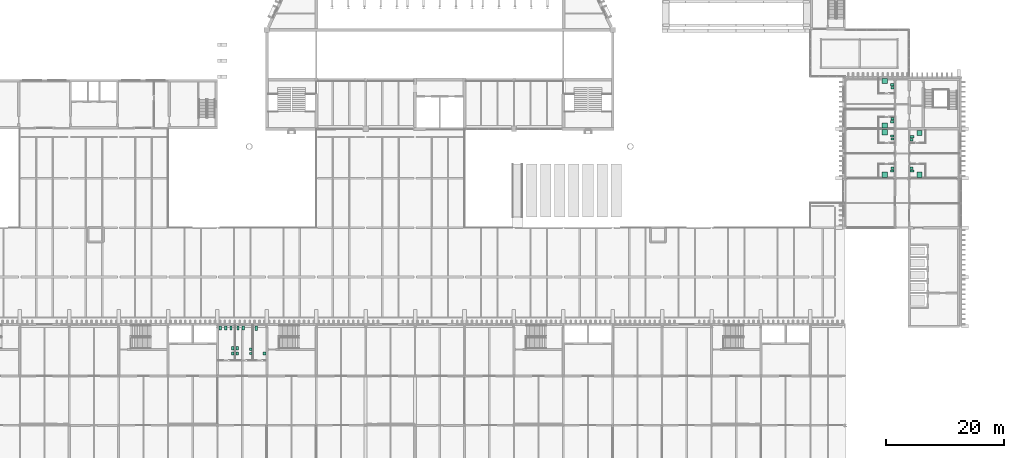
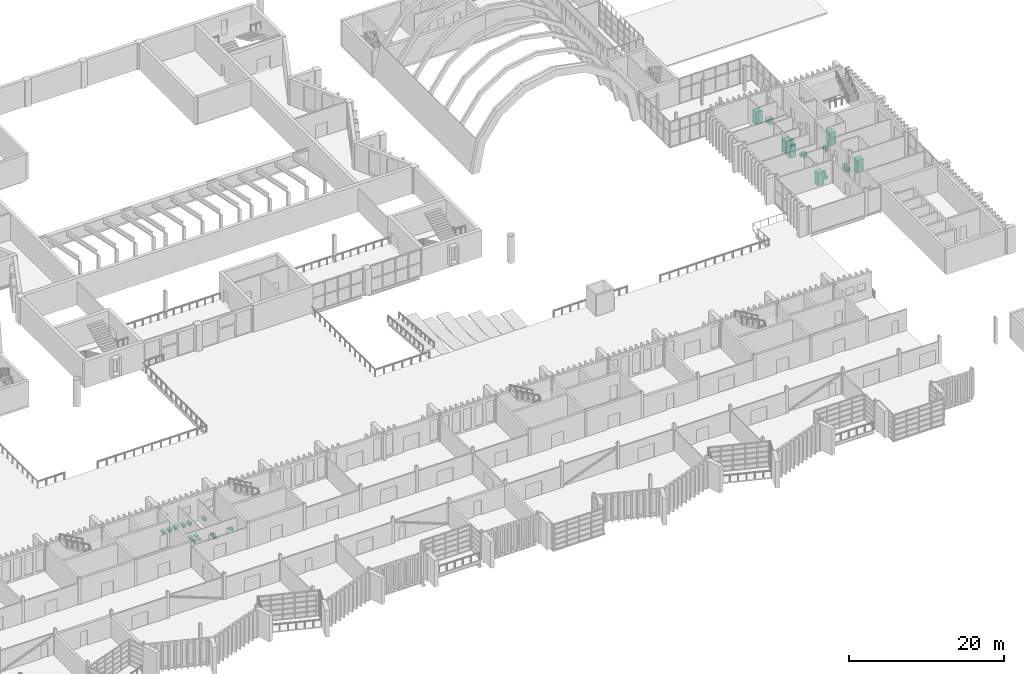
# One storey, part 95 of 96: 31 sanitary terminals.
"""IFC4 building model written with IfcOpenShell, lengths in metres."""

from ifc_helpers import new_model, si_unit, direction, frame, origin, origin_2d, place, context, subcontext, project, spatial, rectangle, extrude, material, type_object, element, save


model = new_model("IFC4")

# Units and contexts
model_context = context("Model", 3, precision=1e-05, world=origin(), true_north=direction((0.0, 1.0)))
body_context = subcontext(model_context, "Body", "Model", "MODEL_VIEW")
ifc_project = project(units=[si_unit("LENGTHUNIT", "METRE"), si_unit("AREAUNIT", "SQUARE_METRE"), si_unit("VOLUMEUNIT", "CUBIC_METRE"), si_unit("PLANEANGLEUNIT", "RADIAN"), si_unit("MASSUNIT", "GRAM", prefix="KILO")], contexts=[model_context])

# Site, building, storey
site_placement = place(None, origin())
site = spatial("IfcSite", under=ifc_project, at=site_placement, CompositionType="ELEMENT")
building_placement = place(site_placement, origin())
building = spatial("IfcBuilding", under=site, at=building_placement, Name="Cresset Court Congress Hotel", CompositionType="ELEMENT")
storey_placement = place(building_placement, frame((0.0, 0.0, 6.0)))
storey = spatial("IfcBuildingStorey", under=building, at=storey_placement, Name="L01", CompositionType="ELEMENT", Elevation=6.0)

# Sanitary terminals
ifc_material_1 = material(Name="Acrylic")
sanitary_terminal_type_1 = type_object("IfcSanitaryTerminalType", Name="Shower enclosure 900x900", PredefinedType="SHOWER", material=ifc_material_1)
for number, where, z_axis, x_axis, name in (
    (1, (163.85009765625, 50.97509765625, 0.0), (0.0, 0.0, 1.0), (1.0, 0.0, 0.0), "Shower enclosure 900x900 0113"),
    (2, (163.85009765625, 58.22509765625, 0.0), (0.0, 0.0, 1.0), (1.0, 0.0, 0.0), "Shower enclosure 900x900 0114"),
    (3, (163.85009765625, 59.375, 0.0), (0.0, 0.0, 1.0), (1.0, 0.0, 0.0), "Shower enclosure 900x900 0115"),
    (4, (163.85009765625, 66.919921875, 0.0), (0.0, 0.0, 1.0), (1.0, 0.0, 0.0), "Shower enclosure 900x900 0116"),
    (5, (169.75, 50.97509765625, 0.0), (0.0, 0.0, 1.0), (1.0, 0.0, 0.0), "Shower enclosure 900x900 0123"),
    (6, (169.75, 58.10009765625, 0.0), (0.0, 0.0, 1.0), (1.0, 0.0, 0.0), "Shower enclosure 900x900 0124"),
):
    element("IfcSanitaryTerminal", number, at=place(storey_placement, frame(where, z_axis=z_axis, x_axis=x_axis)), inside=storey, type_object=sanitary_terminal_type_1, Name=name, PredefinedType="SHOWER", context=body_context, shape_type="SweptSolid", body=[
        extrude(rectangle(XDim=0.89990234375, YDim=0.89990234375, at=origin_2d()), origin(), (0.0, 0.0, 1.0), 2.0),
    ])
ifc_material_2 = material(Name="Vitreous china")
sanitary_terminal_type_2 = type_object("IfcSanitaryTerminalType", Name="Toilet pan", PredefinedType="TOILETPAN", material=ifc_material_2)
for number, where, z_axis, x_axis, name in (
    (7, (50.89990234375, 24.949951171875, 0.199951171875), (0.0, 0.0, 1.0), (1.0, 0.0, 0.0), "Women's WC fitting 27"),
    (8, (51.800048828125, 24.949951171875, 0.199951171875), (0.0, 0.0, 1.0), (1.0, 0.0, 0.0), "Women's WC fitting 28"),
    (9, (52.699951171875, 24.949951171875, 0.199951171875), (0.0, 0.0, 1.0), (1.0, 0.0, 0.0), "Women's WC fitting 29"),
    (10, (53.89990234375, 24.949951171875, 0.199951171875), (0.0, 0.0, 1.0), (1.0, 0.0, 0.0), "Men's WC fitting 32"),
    (11, (54.800048828125, 24.949951171875, 0.199951171875), (0.0, 0.0, 1.0), (1.0, 0.0, 0.0), "Men's WC fitting 33"),
    (12, (57.0, 24.89990234375, 0.199951171875), (0.0, 0.0, 1.0), (1.0, 0.0, 0.0), "Accessible WC fitting 38"),
):
    element("IfcSanitaryTerminal", number, at=place(storey_placement, frame(where, z_axis=z_axis, x_axis=x_axis)), inside=storey, type_object=sanitary_terminal_type_2, Name=name, PredefinedType="TOILETPAN", context=body_context, shape_type="SweptSolid", body=[
        extrude(rectangle(XDim=0.39990234375, YDim=0.699951171875, at=origin_2d()), origin(), (0.0, 0.0, 1.0), 0.39990234375),
    ])
ifc_material_3 = material(Name="Vitreous china")
sanitary_terminal_type_3 = type_object("IfcSanitaryTerminalType", Name="Toilet pan 650x380", PredefinedType="TOILETPAN", material=ifc_material_3)
for number, where, z_axis, x_axis, name in (
    (13, (165.125, 51.614990234375, 0.0), (0.0, 0.0, 1.0), (1.0, 0.0, 0.0), "Toilet pan 650x380 0113"),
    (14, (165.125, 57.5849609375, 0.0), (0.0, 0.0, 1.0), (1.0, 0.0, 0.0), "Toilet pan 650x380 0114"),
    (15, (165.125, 60.014892578125, 0.0), (0.0, 0.0, 1.0), (1.0, 0.0, 0.0), "Toilet pan 650x380 0115"),
    (16, (165.125, 66.280029296875, 0.0), (0.0, 0.0, 1.0), (1.0, 0.0, 0.0), "Toilet pan 650x380 0116"),
    (17, (168.47509765625, 51.614990234375, 0.0), (0.0, 0.0, 1.0), (1.0, 0.0, 0.0), "Toilet pan 650x380 0123"),
    (18, (168.47509765625, 57.4599609375, 0.0), (0.0, 0.0, 1.0), (1.0, 0.0, 0.0), "Toilet pan 650x380 0124"),
):
    element("IfcSanitaryTerminal", number, at=place(storey_placement, frame(where, z_axis=z_axis, x_axis=x_axis)), inside=storey, type_object=sanitary_terminal_type_3, Name=name, PredefinedType="TOILETPAN", context=body_context, shape_type="SweptSolid", body=[
        extrude(rectangle(XDim=0.64990234375, YDim=0.3798828125, at=origin_2d()), origin(), (0.0, 0.0, 1.0), 0.39990234375),
    ])
ifc_material_4 = material(Name="Vitreous china")
sanitary_terminal_type_4 = type_object("IfcSanitaryTerminalType", Name="Urinal", PredefinedType="URINAL", material=ifc_material_4)
for number, where, z_axis, x_axis, name in (
    (19, (56.050048828125, 20.60009765625, 0.199951171875), (0.0, 0.0, 1.0), (1.0, 0.0, 0.0), "Men's WC fitting 34"),
    (20, (56.050048828125, 21.300048828125, 0.199951171875), (0.0, 0.0, 1.0), (1.0, 0.0, 0.0), "Men's WC fitting 35"),
):
    element("IfcSanitaryTerminal", number, at=place(storey_placement, frame(where, z_axis=z_axis, x_axis=x_axis)), inside=storey, type_object=sanitary_terminal_type_4, Name=name, PredefinedType="URINAL", context=body_context, shape_type="SweptSolid", body=[
        extrude(rectangle(XDim=0.39990234375, YDim=0.39990234375, at=origin_2d()), origin(), (0.0, 0.0, 1.0), 0.39990234375),
    ])
ifc_material_5 = material(Name="Vitreous china")
sanitary_terminal_type_5 = type_object("IfcSanitaryTerminalType", Name="Wash basin", PredefinedType="WASHHANDBASIN", material=ifc_material_5)
for number, where, z_axis, x_axis, name in (
    (21, (53.0, 20.60009765625, 0.7998046875), (0.0, 0.0, 1.0), (1.0, 0.0, 0.0), "Women's WC fitting 30"),
    (22, (53.0, 21.5, 0.7998046875), (0.0, 0.0, 1.0), (1.0, 0.0, 0.0), "Women's WC fitting 31"),
    (23, (53.75, 20.60009765625, 0.7998046875), (0.0, 0.0, 1.0), (1.0, 0.0, 0.0), "Men's WC fitting 36"),
    (24, (53.75, 21.5, 0.7998046875), (0.0, 0.0, 1.0), (1.0, 0.0, 0.0), "Men's WC fitting 37"),
    (25, (58.39990234375, 20.60009765625, 0.7998046875), (0.0, 0.0, 1.0), (1.0, 0.0, 0.0), "Accessible WC fitting 39"),
):
    element("IfcSanitaryTerminal", number, at=place(storey_placement, frame(where, z_axis=z_axis, x_axis=x_axis)), inside=storey, type_object=sanitary_terminal_type_5, Name=name, PredefinedType="WASHHANDBASIN", context=body_context, shape_type="SweptSolid", body=[
        extrude(rectangle(XDim=0.449951171875, YDim=0.550048828125, at=origin_2d()), origin(), (0.0, 0.0, 1.0), 0.199951171875),
    ])
ifc_material_6 = material(Name="Vitreous china")
sanitary_terminal_type_6 = type_object("IfcSanitaryTerminalType", Name="Wash basin 500x400", PredefinedType="WASHHANDBASIN", material=ifc_material_6)
for number, where, z_axis, x_axis, name in (
    (26, (165.199951171875, 52.125, 0.0), (0.0, 0.0, 1.0), (1.0, 0.0, 0.0), "Wash basin 500x400 0113"),
    (27, (165.199951171875, 57.074951171875, 0.0), (0.0, 0.0, 1.0), (1.0, 0.0, 0.0), "Wash basin 500x400 0114"),
    (28, (165.199951171875, 60.52490234375, 0.0), (0.0, 0.0, 1.0), (1.0, 0.0, 0.0), "Wash basin 500x400 0115"),
    (29, (165.199951171875, 65.77001953125, 0.0), (0.0, 0.0, 1.0), (1.0, 0.0, 0.0), "Wash basin 500x400 0116"),
    (30, (168.39990234375, 52.125, 0.0), (0.0, 0.0, 1.0), (1.0, 0.0, 0.0), "Wash basin 500x400 0123"),
    (31, (168.39990234375, 56.949951171875, 0.0), (0.0, 0.0, 1.0), (1.0, 0.0, 0.0), "Wash basin 500x400 0124"),
):
    element("IfcSanitaryTerminal", number, at=place(storey_placement, frame(where, z_axis=z_axis, x_axis=x_axis)), inside=storey, type_object=sanitary_terminal_type_6, Name=name, PredefinedType="WASHHANDBASIN", context=body_context, shape_type="SweptSolid", body=[
        extrude(rectangle(XDim=0.5, YDim=0.39990234375, at=origin_2d()), origin(), (0.0, 0.0, 1.0), 0.85009765625),
    ])

save(model, "model.ifc")
